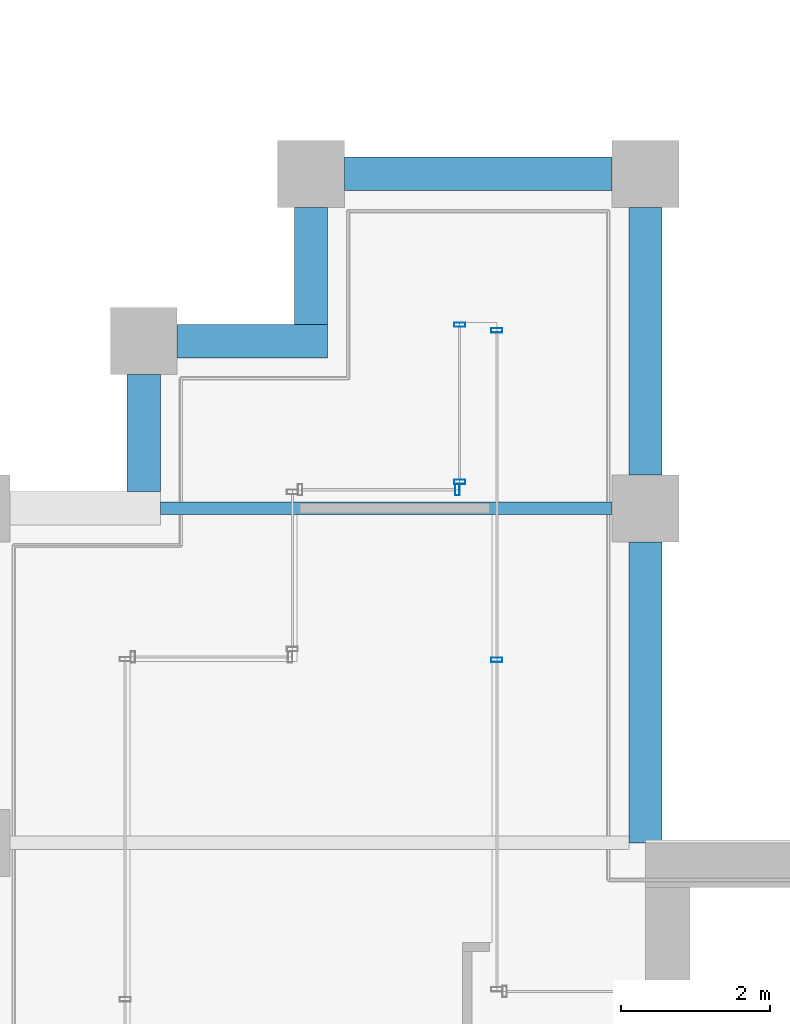
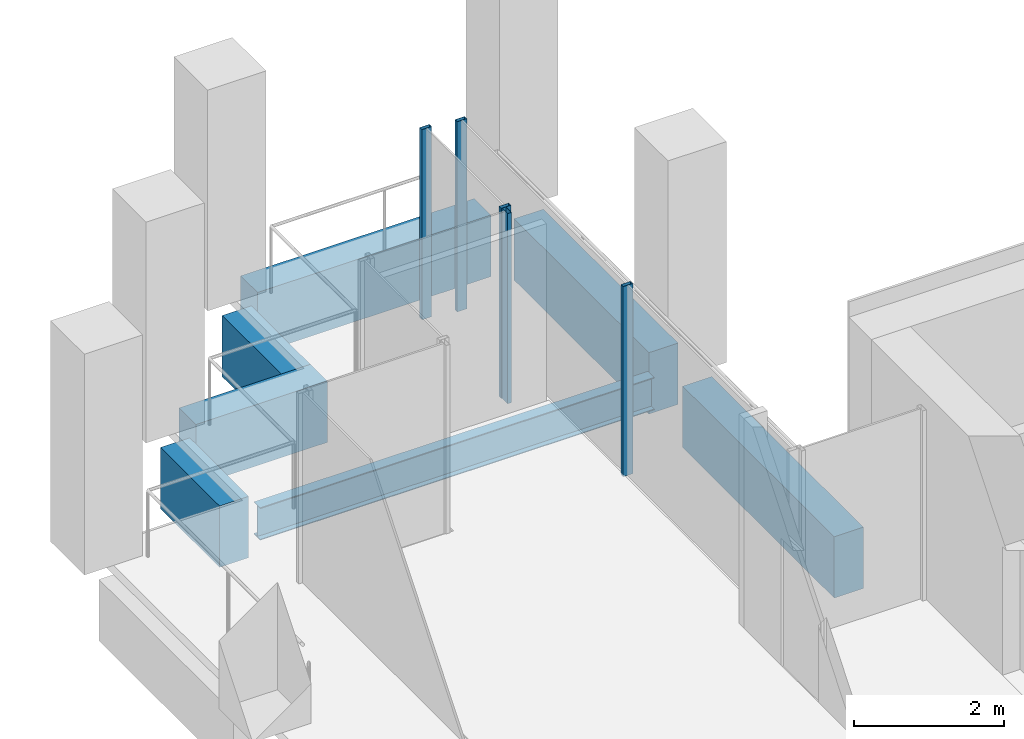
# One storey, part 33 of 40: 7 beams, 5 members, 3 elements without a shape of their own.
"""IFC4 building model written with IfcOpenShell, lengths in metres."""

from ifc_helpers import new_model, si_unit, direction, frame, origin, origin_2d, place, context, subcontext, project, spatial, rectangle, hollow_rectangle, i_section, extrude, material, material_profile, profile_set, type_object, element, aggregate, save


model = new_model("IFC4")

# Units and contexts
model_context = context("Model", 3, precision=1e-05, world=origin(), true_north=direction((0.0, 1.0)))
body_context = subcontext(model_context, "Body", "Model", "MODEL_VIEW")
ifc_project = project(units=[si_unit("LENGTHUNIT", "METRE"), si_unit("AREAUNIT", "SQUARE_METRE"), si_unit("VOLUMEUNIT", "CUBIC_METRE"), si_unit("PLANEANGLEUNIT", "RADIAN"), si_unit("MASSUNIT", "GRAM", prefix="KILO")], contexts=[model_context])

# Site, building, storey
site_placement = place(None, origin())
site = spatial("IfcSite", under=ifc_project, at=site_placement, CompositionType="ELEMENT")
building_placement = place(site_placement, origin())
building = spatial("IfcBuilding", under=site, at=building_placement, Name="Altepetl Exchange Towers", CompositionType="ELEMENT")
storey_placement = place(building_placement, frame((0.0, 0.0, 176.199951171875)))
storey = spatial("IfcBuildingStorey", under=building, at=storey_placement, Name="L44", CompositionType="ELEMENT", Elevation=176.199951171875)

# Beam
ifc_material_1 = material(Name="Steel S355", Category="steel")
ifc_material_profile_1 = material_profile(ifc_material_1, i_section(OverallWidth=0.166015625, OverallDepth=0.529052734375, WebThickness=0.009765625, FlangeThickness=0.013671875, at=origin_2d()), Name="W21X50")
ifc_profile_set_1 = profile_set([ifc_material_profile_1], Name="Steel S355")
beam_type_1 = type_object("IfcBeamType", Name="Floor beam W21X50", PredefinedType="BEAM", material=ifc_profile_set_1)
beam_1_placement = place(storey_placement, frame((96.97509765625, 54.0, -0.41455078125), z_axis=(1.0, 0.0, 0.0), x_axis=(0.0, 1.0, 0.0)))
element("IfcBeam", 1, at=beam_1_placement, inside=storey, type_object=beam_type_1, Name="bm:B:L44:007", PredefinedType="BEAM", context=body_context, shape_type="SweptSolid", body=[
    extrude(i_section(OverallWidth=0.166015625, OverallDepth=0.529052734375, WebThickness=0.009765625, FlangeThickness=0.013671875, at=origin_2d()), origin(), (0.0, 0.0, 1.0), 6.074951171875),
])

# Curtain wall, members
ifc_material_2 = material(Name="Aluminium 6063-T6 glazing", Category="aluminium")
curtain_wall_type = type_object("IfcCurtainWallType", Name="Loggia glazing system", PredefinedType="NOTDEFINED", material=ifc_material_2)
curtain_wall_1_placement = place(storey_placement, origin())
curtain_wall_1 = element("IfcCurtainWall", 2, at=curtain_wall_1_placement, inside=storey, type_object=curtain_wall_type, Name="CW1 run", PredefinedType="NOTDEFINED")
ifc_material_3 = material(Name="Aluminium 6063-T6", Category="aluminium")
ifc_material_profile_2 = material_profile(ifc_material_3, hollow_rectangle(XDim=0.06005859375, YDim=0.14990234375, WallThickness=0.0029296875, at=origin_2d()), Name="Mullion 60x150 aluminium")
ifc_profile_set_2 = profile_set([ifc_material_profile_2], Name="Aluminium 6063-T6")
member_type = type_object("IfcMemberType", Name="Mullion 60x150 aluminium", PredefinedType="MULLION", material=ifc_profile_set_2)
member_1_placement = place(storey_placement, frame((101.5, 51.96240234375, 0.0), z_axis=(0.0, 0.0, 1.0), x_axis=(0.0, 1.0, 0.0)))
member_1 = element("IfcMember", 3, at=member_1_placement, type_object=member_type, Name="MU1 mullion", PredefinedType="MULLION", context=body_context, shape_type="SweptSolid", body=[
    extrude(hollow_rectangle(XDim=0.06005859375, YDim=0.14990234375, WallThickness=0.0029296875, at=origin_2d()), origin(), (0.0, 0.0, 1.0), 3.10009765625),
])
member_2_placement = place(storey_placement, frame((101.5, 56.39501953125, 0.0), z_axis=(0.0, 0.0, 1.0), x_axis=(0.0, 1.0, 0.0)))
member_2 = element("IfcMember", 4, at=member_2_placement, type_object=member_type, Name="MU1 mullion", PredefinedType="MULLION", context=body_context, shape_type="SweptSolid", body=[
    extrude(hollow_rectangle(XDim=0.06005859375, YDim=0.14990234375, WallThickness=0.0029296875, at=origin_2d()), origin(), (0.0, 0.0, 1.0), 3.10009765625),
])
aggregate(curtain_wall_1, [member_1, member_2])

curtain_wall_2_placement = place(storey_placement, origin())
curtain_wall_2 = element("IfcCurtainWall", 5, at=curtain_wall_2_placement, inside=storey, type_object=curtain_wall_type, Name="CW1 run", PredefinedType="NOTDEFINED")
member_3_placement = place(storey_placement, frame((101.0, 56.469970703125, 0.0), z_axis=(0.0, 0.0, 1.0), x_axis=(0.0, -1.0, 0.0)))
member_3 = element("IfcMember", 6, at=member_3_placement, type_object=member_type, Name="MU1 mullion", PredefinedType="MULLION", context=body_context, shape_type="SweptSolid", body=[
    extrude(hollow_rectangle(XDim=0.06005859375, YDim=0.14990234375, WallThickness=0.0029296875, at=origin_2d()), origin(), (0.0, 0.0, 1.0), 3.10009765625),
])
member_4_placement = place(storey_placement, frame((101.0, 54.35498046875, 0.0), z_axis=(0.0, 0.0, 1.0), x_axis=(0.0, -1.0, 0.0)))
member_4 = element("IfcMember", 7, at=member_4_placement, type_object=member_type, Name="MU1 mullion", PredefinedType="MULLION", context=body_context, shape_type="SweptSolid", body=[
    extrude(hollow_rectangle(XDim=0.06005859375, YDim=0.14990234375, WallThickness=0.0029296875, at=origin_2d()), origin(), (0.0, 0.0, 1.0), 3.10009765625),
])
aggregate(curtain_wall_2, [member_3, member_4])

# Curtain wall, member
curtain_wall_3_placement = place(storey_placement, origin())
curtain_wall_3 = element("IfcCurtainWall", 8, at=curtain_wall_3_placement, inside=storey, type_object=curtain_wall_type, Name="CW1 run", PredefinedType="NOTDEFINED")
member_5_placement = place(storey_placement, frame((100.969970703125, 54.25, 0.0), z_axis=(0.0, 0.0, 1.0), x_axis=(-1.0, 0.0, 0.0)))
member_5 = element("IfcMember", 9, at=member_5_placement, type_object=member_type, Name="MU1 mullion", PredefinedType="MULLION", context=body_context, shape_type="SweptSolid", body=[
    extrude(hollow_rectangle(XDim=0.06005859375, YDim=0.14990234375, WallThickness=0.0029296875, at=origin_2d()), origin(), (0.0, 0.0, 1.0), 3.10009765625),
])
aggregate(curtain_wall_3, [member_5])

# Beams
ifc_material_4 = material(Name="Concrete C50/60 precast with cantera rosa facing", Category="concrete")
ifc_material_profile_3 = material_profile(ifc_material_4, rectangle(XDim=0.449951171875, YDim=1.0, at=origin_2d()), Name="450 x 1000")
ifc_profile_set_3 = profile_set([ifc_material_profile_3], Name="Concrete C50/60 precast with cantera rosa facing")
beam_type_2 = type_object("IfcBeamType", Name="Spandrel beam 450x1000 cantera rosa", PredefinedType="SPANDREL", material=ifc_profile_set_3)
beam_2_placement = place(storey_placement, frame((103.5, 49.5, -0.64990234375), z_axis=(0.0, 1.0, 0.0), x_axis=(-1.0, 0.0, 0.0)))
element("IfcBeam", 10, at=beam_2_placement, inside=storey, type_object=beam_type_2, Name="sp:B:L44:008", PredefinedType="SPANDREL", context=body_context, shape_type="SweptSolid", body=[
    extrude(rectangle(XDim=0.449951171875, YDim=1.0, at=origin_2d()), origin(), (0.0, 0.0, 1.0), 4.050048828125),
])
for number, where, z_axis, x_axis, name in (
    (11, (103.5, 54.449951171875, -0.64990234375), (0.0, 1.0, 0.0), (-1.0, 0.0, 0.0), "sp:B:L44:009"),
    (12, (103.050048828125, 58.5, -0.64990234375), (-1.0, 0.0, 0.0), (0.0, -1.0, 0.0), "sp:B:L44:010"),
):
    element("IfcBeam", number, at=place(storey_placement, frame(where, z_axis=z_axis, x_axis=x_axis)), inside=storey, type_object=beam_type_2, Name=name, PredefinedType="SPANDREL", context=body_context, shape_type="SweptSolid", body=[
        extrude(rectangle(XDim=0.449951171875, YDim=1.0, at=origin_2d()), origin(), (0.0, 0.0, 1.0), 3.60009765625),
    ])
beam_3_placement = place(storey_placement, frame((99.0, 58.050048828125, -0.64990234375), z_axis=(0.0, -1.0, 0.0), x_axis=(1.0, 0.0, 0.0)))
element("IfcBeam", 13, at=beam_3_placement, inside=storey, type_object=beam_type_2, Name="sp:B:L44:011", PredefinedType="SPANDREL", context=body_context, shape_type="SweptSolid", body=[
    extrude(rectangle(XDim=0.449951171875, YDim=1.0, at=origin_2d()), origin(), (0.0, 0.0, 1.0), 1.574951171875),
])
beam_4_placement = place(storey_placement, frame((99.22509765625, 56.25, -0.64990234375), z_axis=(-1.0, 0.0, 0.0), x_axis=(0.0, -1.0, 0.0)))
element("IfcBeam", 14, at=beam_4_placement, inside=storey, type_object=beam_type_2, Name="sp:B:L44:012", PredefinedType="SPANDREL", context=body_context, shape_type="SweptSolid", body=[
    extrude(rectangle(XDim=0.449951171875, YDim=1.0, at=origin_2d()), origin(), (0.0, 0.0, 1.0), 2.025146484375),
])
beam_5_placement = place(storey_placement, frame((96.75, 55.800048828125, -0.64990234375), z_axis=(0.0, -1.0, 0.0), x_axis=(1.0, 0.0, 0.0)))
element("IfcBeam", 15, at=beam_5_placement, inside=storey, type_object=beam_type_2, Name="sp:B:L44:013", PredefinedType="SPANDREL", context=body_context, shape_type="SweptSolid", body=[
    extrude(rectangle(XDim=0.449951171875, YDim=1.0, at=origin_2d()), origin(), (0.0, 0.0, 1.0), 1.574951171875),
])

save(model, "model.ifc")
